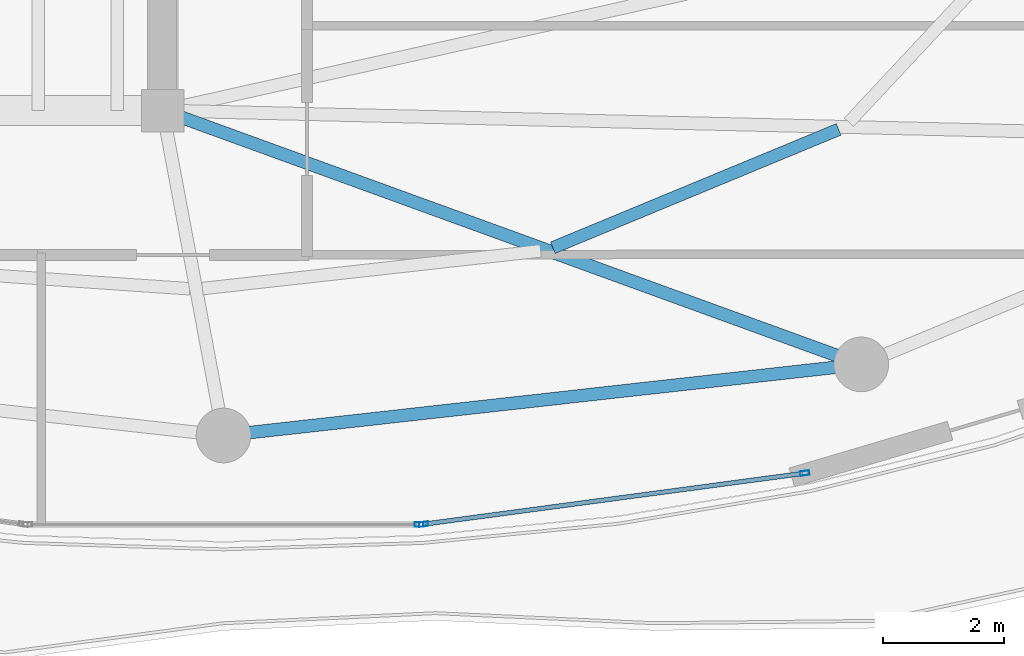
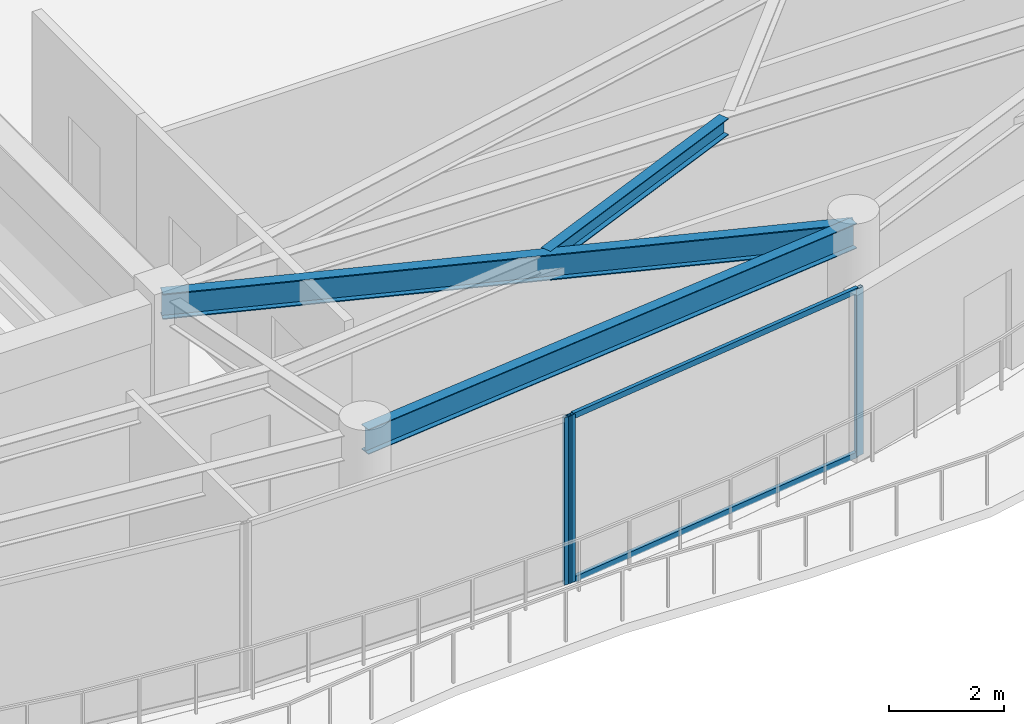
# One storey, part 11 of 29: 5 members, 3 beams, 2 elements without a shape of their own.
"""IFC4 building model written with IfcOpenShell, lengths in metres."""

import ifcopenshell
import ifcopenshell.guid

model = None  # the IFC model being written
_history = None  # IfcOwnerHistory: only IFC2X3 demands one
_inside = {}  # id of a spatial element -> (the spatial element, [elements in it])
_under = {}  # id of a project, library or spatial element -> (it, [spatial elements below it])
_declared = {}  # id of a project -> (the project, [libraries it declares])
_typed = {}  # id of a type object -> (the type object, [elements of that type])
_made_of = {}  # id of a material, layer set ... -> (it, [elements and type objects made of it])


def new_model(schema):
    """Start an empty IFC model of exactly this schema.

    Asked for "IFC4X3", IfcOpenShell would pick the latest addendum, in which some entities
    have other attributes; the version numbers below select the first issue.
    IFC2X3 requires an IfcOwnerHistory on every rooted entity: one is made here for all.
    """
    global model, _history
    if schema == "IFC4X3":
        model = ifcopenshell.file(schema_version=(4, 3, 0, 0))
    else:
        model = ifcopenshell.file(schema=schema)
    _inside.clear()
    _under.clear()
    _declared.clear()
    _typed.clear()
    _made_of.clear()
    _history = None
    if model.schema == "IFC2X3":
        org = make("IfcOrganization", Name="unknown")
        user = make(
            "IfcPersonAndOrganization",
            ThePerson=make("IfcPerson", FamilyName="unknown"),
            TheOrganization=org,
        )
        app = make(
            "IfcApplication",
            ApplicationDeveloper=org,
            Version="unknown",
            ApplicationFullName="unknown",
            ApplicationIdentifier="unknown",
        )
        _history = make(
            "IfcOwnerHistory",
            OwningUser=user,
            OwningApplication=app,
            ChangeAction="ADDED",
            CreationDate=0,
        )
    return model


def make(cls, **values):
    """One entity of the class cls with the attributes given. An attribute that is None is left unset."""
    return model.create_entity(
        cls, **{name: value for name, value in values.items() if value is not None}
    )


def rooted(cls, **values):
    """An entity with a GlobalId (a new one), such as an element, a storey or a relation."""
    return make(cls, GlobalId=ifcopenshell.guid.new(), OwnerHistory=_history, **values)


def si_unit(unit_type, name, prefix=None):
    """IfcSIUnit, for example si_unit("LENGTHUNIT", "METRE", prefix="MILLI")."""
    return make("IfcSIUnit", UnitType=unit_type, Prefix=prefix, Name=name)


def assignment(units):
    """IfcUnitAssignment: the units of a project."""
    return None if units is None else make("IfcUnitAssignment", Units=units)


def point(xyz):
    """IfcCartesianPoint."""
    return None if xyz is None else make("IfcCartesianPoint", Coordinates=xyz)


def direction(xyz):
    """IfcDirection."""
    return None if xyz is None else make("IfcDirection", DirectionRatios=xyz)


def frame(location, z_axis=None, x_axis=None):
    """IfcAxis2Placement3D, a coordinate frame: its origin and axes. An axis left out is left unset."""
    return make(
        "IfcAxis2Placement3D",
        Location=point(location),
        Axis=direction(z_axis),
        RefDirection=direction(x_axis),
    )


def frame_2d(location, x_axis=None):
    """IfcAxis2Placement2D, a coordinate frame in the plane: its origin and x axis."""
    return make(
        "IfcAxis2Placement2D", Location=point(location), RefDirection=direction(x_axis)
    )


def origin():
    """The frame at (0, 0, 0) with its axes left unset."""
    return frame((0.0, 0.0, 0.0))


def origin_2d():
    """The frame at (0, 0) in the plane with its x axis left unset."""
    return frame_2d((0.0, 0.0))


def place(relative_to, where):
    """IfcLocalPlacement: puts the frame where relative to a parent placement (None: the world)."""
    return make(
        "IfcLocalPlacement", PlacementRelTo=relative_to, RelativePlacement=where
    )


def context(
    kind, dimensions, precision=None, world=None, true_north=None, identifier=None
):
    """IfcGeometricRepresentationContext, for example the 3D "Model" context."""
    return make(
        "IfcGeometricRepresentationContext",
        ContextIdentifier=identifier,
        ContextType=kind,
        CoordinateSpaceDimension=dimensions,
        Precision=precision,
        WorldCoordinateSystem=world,
        TrueNorth=true_north,
    )


def subcontext(parent, identifier, kind, view, scale=None):
    """IfcGeometricRepresentationSubContext, for example "Body" below "Model"."""
    return make(
        "IfcGeometricRepresentationSubContext",
        ContextIdentifier=identifier,
        ContextType=kind,
        ParentContext=parent,
        TargetScale=scale,
        TargetView=view,
    )


def project(units=None, contexts=None):
    """IfcProject with its units and contexts."""
    return rooted(
        "IfcProject",
        Name="project",
        RepresentationContexts=contexts,
        UnitsInContext=assignment(units),
    )


def spatial(cls, under=None, at=None, **own):
    """A site, building, storey or space (cls), placed at a placement, below another one or the project."""
    s = rooted(cls, ObjectPlacement=at, **own)
    if under is not None:
        _under.setdefault(under.id(), (under, []))[1].append(s)
    return s


def profile(cls, at=None, kind="AREA", **sizes):
    """A parametric profile (cls). Its sizes go by their IFC names, for example OverallWidth=200.0."""
    return make(cls, ProfileType=kind, Position=at, **sizes)


def hollow_rectangle(**sizes):
    """IfcRectangleHollowProfileDef."""
    return profile("IfcRectangleHollowProfileDef", **sizes)


def i_section(**sizes):
    """IfcIShapeProfileDef."""
    return profile("IfcIShapeProfileDef", **sizes)


def extrude(swept, where, along, depth):
    """IfcExtrudedAreaSolid: the profile swept, set in the frame where, extruded along a direction by depth."""
    return make(
        "IfcExtrudedAreaSolid",
        SweptArea=swept,
        Position=where,
        ExtrudedDirection=direction(along),
        Depth=depth,
    )


def shape(context_of_items, identifier, shape_type, items):
    """IfcShapeRepresentation: the items that make up one representation, for example the "Body"."""
    return make(
        "IfcShapeRepresentation",
        ContextOfItems=context_of_items,
        RepresentationIdentifier=identifier,
        RepresentationType=shape_type,
        Items=items,
    )


def material(Name=None, Category=None):
    """IfcMaterial."""
    return make("IfcMaterial", Name=Name, Category=Category)


def layer(
    of_material, thickness, ventilated=None, Name=None, Category=None, Priority=None
):
    """IfcMaterialLayer: one layer of a wall or slab, of a material (None: an air gap)."""
    return make(
        "IfcMaterialLayer",
        Material=of_material,
        LayerThickness=thickness,
        IsVentilated=ventilated,
        Name=Name,
        Category=Category,
        Priority=Priority,
    )


def layer_set(layers, Name=None):
    """IfcMaterialLayerSet."""
    return make("IfcMaterialLayerSet", MaterialLayers=layers, LayerSetName=Name)


def material_profile(
    of_material, cross_section, Name=None, Category=None, Priority=None
):
    """IfcMaterialProfile: a cross section and its material."""
    return make(
        "IfcMaterialProfile",
        Name=Name,
        Material=of_material,
        Profile=cross_section,
        Priority=Priority,
        Category=Category,
    )


def profile_set(profiles, Name=None, composite=None):
    """IfcMaterialProfileSet."""
    return make(
        "IfcMaterialProfileSet",
        Name=Name,
        MaterialProfiles=profiles,
        CompositeProfile=composite,
    )


def made_of(thing, what):
    """Note that an element or type object is made of a material, layer set ...; save() writes the relation."""
    if what is not None:
        _made_of.setdefault(what.id(), (what, []))[1].append(thing)
    return thing


def type_object(cls, material=None, **own):
    """A type object (cls), such as IfcWallType, which elements share."""
    return made_of(rooted(cls, **own), material)


def element(
    cls,
    number,
    at=None,
    inside=None,
    cuts=None,
    type_object=None,
    material=None,
    context=None,
    identifier="Body",
    shape_type=None,
    held_by="IfcProductDefinitionShape",
    body=None,
    shapes=None,
    **own,
):
    """One element of the class cls, such as IfcWall. Its Tag is "e" and its number.

    at: its placement. inside: the storey or other place that contains it. cuts: it is an
    opening in that element (IfcRelVoidsElement). A single representation is given by context,
    identifier, shape_type and body (its items); several are given by shapes. held_by: the class
    of the entity that holds the representations. save() writes the other relations.
    """
    e = rooted(cls, Tag="e%d" % number, ObjectPlacement=at, **own)
    if body is not None:
        shapes = [shape(context, identifier, shape_type, body)]
    if shapes is not None:
        e.Representation = make(held_by, Representations=shapes)
    if inside is not None:
        _inside.setdefault(inside.id(), (inside, []))[1].append(e)
    if cuts is not None:
        rooted(
            "IfcRelVoidsElement", RelatingBuildingElement=cuts, RelatedOpeningElement=e
        )
    if type_object is not None:
        _typed.setdefault(type_object.id(), (type_object, []))[1].append(e)
    return made_of(e, material)


def aggregate(whole, parts):
    """IfcRelAggregates: a whole, such as a stair, and the parts it consists of."""
    return rooted("IfcRelAggregates", RelatingObject=whole, RelatedObjects=parts)


def save(model, path):
    """Write the relations noted so far, then the file.

    IfcRelAggregates (storeys below a building ...), IfcRelContainedInSpatialStructure (elements
    in a storey), IfcRelDefinesByType, IfcRelAssociatesMaterial and IfcRelDeclares: one each for
    every whole, place, type object, material and project.
    """
    for whole, parts in _under.values():
        aggregate(whole, parts)
    for where, things in _inside.values():
        rooted(
            "IfcRelContainedInSpatialStructure",
            RelatedElements=things,
            RelatingStructure=where,
        )
    for kind, things in _typed.values():
        rooted("IfcRelDefinesByType", RelatedObjects=things, RelatingType=kind)
    for what, things in _made_of.values():
        rooted("IfcRelAssociatesMaterial", RelatedObjects=things, RelatingMaterial=what)
    for by, libraries in _declared.values():
        rooted("IfcRelDeclares", RelatingContext=by, RelatedDefinitions=libraries)
    model.write(path)


model = new_model("IFC4")

# Units and contexts
model_context = context("Model", 3, precision=1e-05, world=origin(), true_north=direction((0.0, 1.0)))
body_context = subcontext(model_context, "Body", "Model", "MODEL_VIEW")
ifc_project = project(units=[si_unit("LENGTHUNIT", "METRE"), si_unit("AREAUNIT", "SQUARE_METRE"), si_unit("VOLUMEUNIT", "CUBIC_METRE"), si_unit("PLANEANGLEUNIT", "RADIAN"), si_unit("MASSUNIT", "GRAM", prefix="KILO")], contexts=[model_context])

# Site, building, storey
site_placement = place(None, origin())
site = spatial("IfcSite", under=ifc_project, at=site_placement, CompositionType="ELEMENT")
building_placement = place(site_placement, origin())
building = spatial("IfcBuilding", under=site, at=building_placement, Name="Kazevale Care Tower and Concert Hall", CompositionType="ELEMENT")
storey_placement = place(building_placement, frame((0.0, 0.0, 281.39990234375)))
storey = spatial("IfcBuildingStorey", under=building, at=storey_placement, Name="L74", CompositionType="ELEMENT", Elevation=281.39990234375)

# Curtain wall, members
ifc_material_1 = material(Name="Aluminium 6063-T6 and Low-E Glass", Category="aluminium")
ifc_layer = layer(ifc_material_1, 0.179931640625)
ifc_layer_set = layer_set([ifc_layer], Name="Aluminium 6063-T6 and Low-E Glass")
curtain_wall_type = type_object("IfcCurtainWallType", Name="Sheltered Concave Balcony Curtain Wall CW-5", PredefinedType="NOTDEFINED", material=ifc_layer_set)
curtain_wall_1_placement = place(storey_placement, origin())
curtain_wall_1 = element("IfcCurtainWall", 1, at=curtain_wall_1_placement, inside=storey, type_object=curtain_wall_type, Name="cw:L74:f05", PredefinedType="NOTDEFINED")
ifc_material_2 = material(Name="Aluminium 6063-T6", Category="aluminium")
ifc_material_profile_1 = material_profile(ifc_material_2, hollow_rectangle(XDim=0.074951171875, YDim=0.14990234375, WallThickness=0.00390625, at=origin_2d()), Name="ALU75x150x4")
ifc_profile_set_1 = profile_set([ifc_material_profile_1], Name="Aluminium 6063-T6")
member_type_1 = type_object("IfcMemberType", Name="CW-5 Mullion ALU75x150x4", PredefinedType="MULLION", material=ifc_profile_set_1)
member_1_placement = place(storey_placement, frame((54.56982421875, 17.629150390625, 0.0), z_axis=(0.0, 0.0, 1.0), x_axis=(0.132542069018, -0.991177380664, 0.0)))
member_1 = element("IfcMember", 2, at=member_1_placement, type_object=member_type_1, Name="CW-5 mullion 1", PredefinedType="MULLION", context=body_context, shape_type="SweptSolid", body=[
    extrude(hollow_rectangle(XDim=0.074951171875, YDim=0.14990234375, WallThickness=0.00390625, at=origin_2d()), origin(), (0.0, 0.0, 1.0), 3.56005859375),
])
member_2_placement = place(storey_placement, frame((48.295166015625, 16.7900390625, 0.0), z_axis=(0.0, 0.0, 1.0), x_axis=(0.132542069018, -0.991177380664, 0.0)))
member_2 = element("IfcMember", 3, at=member_2_placement, type_object=member_type_1, Name="CW-5 mullion 2", PredefinedType="MULLION", context=body_context, shape_type="SweptSolid", body=[
    extrude(hollow_rectangle(XDim=0.074951171875, YDim=0.14990234375, WallThickness=0.00390625, at=origin_2d()), origin(), (0.0, 0.0, 1.0), 3.56005859375),
])

# Curtain wall, member
curtain_wall_2_placement = place(storey_placement, origin())
curtain_wall_2 = element("IfcCurtainWall", 4, at=curtain_wall_2_placement, inside=storey, type_object=curtain_wall_type, Name="cw:L74:f06", PredefinedType="NOTDEFINED")
member_3_placement = place(storey_placement, frame((48.220458984375, 16.784912109375, 0.0), z_axis=(0.0, 0.0, 1.0), x_axis=(0.0, -1.0, 0.0)))
member_3 = element("IfcMember", 5, at=member_3_placement, type_object=member_type_1, Name="CW-5 mullion 1", PredefinedType="MULLION", context=body_context, shape_type="SweptSolid", body=[
    extrude(hollow_rectangle(XDim=0.074951171875, YDim=0.14990234375, WallThickness=0.00390625, at=origin_2d()), origin(), (0.0, 0.0, 1.0), 3.56005859375),
])
aggregate(curtain_wall_2, [member_3])

# Member
ifc_material_profile_2 = material_profile(ifc_material_2, hollow_rectangle(XDim=0.074951171875, YDim=0.1201171875, WallThickness=0.00390625, at=origin_2d()), Name="ALU75x120x4")
ifc_profile_set_2 = profile_set([ifc_material_profile_2], Name="Aluminium 6063-T6")
member_type_2 = type_object("IfcMemberType", Name="CW-5 Transom ALU75x120x4", PredefinedType="USERDEFINED", material=ifc_profile_set_2)
member_4_placement = place(storey_placement, frame((54.53271484375, 17.6240234375, 0.03759765625), z_axis=(-0.991178066261, -0.132536941884, 0.0), x_axis=(0.132536941884, -0.991178066261, 0.0)))
member_4 = element("IfcMember", 6, at=member_4_placement, type_object=member_type_2, Name="CW-5 transom 1.1", ObjectType="TRANSOM", PredefinedType="USERDEFINED", context=body_context, shape_type="SweptSolid", body=[
    extrude(hollow_rectangle(XDim=0.074951171875, YDim=0.1201171875, WallThickness=0.00390625, at=origin_2d()), origin(), (0.0, 0.0, 1.0), 6.255615234375),
])

member_5_placement = place(storey_placement, frame((54.53271484375, 17.6240234375, 3.522705078125), z_axis=(-0.991178066261, -0.132536941884, 0.0), x_axis=(0.132536941884, -0.991178066261, 0.0)))
member_5 = element("IfcMember", 7, at=member_5_placement, type_object=member_type_2, Name="CW-5 transom 1.2", ObjectType="TRANSOM", PredefinedType="USERDEFINED", context=body_context, shape_type="SweptSolid", body=[
    extrude(hollow_rectangle(XDim=0.074951171875, YDim=0.1201171875, WallThickness=0.00390625, at=origin_2d()), origin(), (0.0, 0.0, 1.0), 6.255615234375),
])

aggregate(curtain_wall_1, [member_1, member_2, member_4, member_5])

# Beams
ifc_material_3 = material(Name="Steel ASTM A572 Gr 50", Category="steel")
ifc_material_profile_3 = material_profile(ifc_material_3, i_section(OverallWidth=0.2119140625, OverallDepth=0.5439453125, WebThickness=0.01318359375, FlangeThickness=0.021240234375, at=origin_2d()), Name="W530x123")
ifc_profile_set_3 = profile_set([ifc_material_profile_3], Name="Steel ASTM A572 Gr 50")
beam_type_1 = type_object("IfcBeamType", Name="Radial Floor Girder W530x123", PredefinedType="BEAM", material=ifc_profile_set_3)
beam_1_placement = place(storey_placement, frame((44.0, 23.60009765625, 3.2880859375), z_axis=(0.939836524786, -0.341624511239, 0.0), x_axis=(0.341624511239, 0.939836524786, 0.0)))
element("IfcBeam", 8, at=beam_1_placement, inside=storey, type_object=beam_type_1, Name="beam:L74:rad:14", PredefinedType="BEAM", context=body_context, shape_type="SweptSolid", body=[
    extrude(i_section(OverallWidth=0.2119140625, OverallDepth=0.5439453125, WebThickness=0.01318359375, FlangeThickness=0.021240234375, at=origin_2d()), origin(), (0.0, 0.0, 1.0), 12.236083984375),
])
ifc_material_profile_4 = material_profile(ifc_material_3, i_section(OverallWidth=0.205078125, OverallDepth=0.35400390625, WebThickness=0.009521484375, FlangeThickness=0.016845703125, at=origin_2d()), Name="W360x79")
ifc_profile_set_4 = profile_set([ifc_material_profile_4], Name="Steel ASTM A572 Gr 50")
beam_type_2 = type_object("IfcBeamType", Name="Secondary Floor Joist W360x79", PredefinedType="JOIST", material=ifc_profile_set_4)
beam_2_placement = place(storey_placement, frame((50.422119140625, 21.341064453125, 3.383056640625), z_axis=(0.92389590915, 0.382643893268, 0.0), x_axis=(-0.382643893268, 0.92389590915, 0.0)))
element("IfcBeam", 9, at=beam_2_placement, inside=storey, type_object=beam_type_2, Name="beam:L74:joist:14", PredefinedType="JOIST", context=body_context, shape_type="SweptSolid", body=[
    extrude(i_section(OverallWidth=0.205078125, OverallDepth=0.35400390625, WebThickness=0.009521484375, FlangeThickness=0.016845703125, at=origin_2d()), origin(), (0.0, 0.0, 1.0), 5.093505859375),
])
ifc_material_profile_5 = material_profile(ifc_material_3, i_section(OverallWidth=0.208984375, OverallDepth=0.532958984375, WebThickness=0.01025390625, FlangeThickness=0.015625, at=origin_2d()), Name="W530x92")
ifc_profile_set_5 = profile_set([ifc_material_profile_5], Name="Steel ASTM A572 Gr 50")
beam_type_3 = type_object("IfcBeamType", Name="Upper Ring Beam W530x92", PredefinedType="BEAM", material=ifc_profile_set_5)
beam_3_placement = place(storey_placement, frame((45.0, 18.25, 3.293701171875), z_axis=(0.993849870772, 0.110735876598, 0.0), x_axis=(-0.110735876598, 0.993849870772, 0.0)))
element("IfcBeam", 10, at=beam_3_placement, inside=storey, type_object=beam_type_3, Name="beam:L74:ring:13", PredefinedType="BEAM", context=body_context, shape_type="SweptSolid", body=[
    extrude(i_section(OverallWidth=0.208984375, OverallDepth=0.532958984375, WebThickness=0.01025390625, FlangeThickness=0.015625, at=origin_2d()), origin(), (0.0, 0.0, 1.0), 10.56494140625),
])

save(model, "model.ifc")
